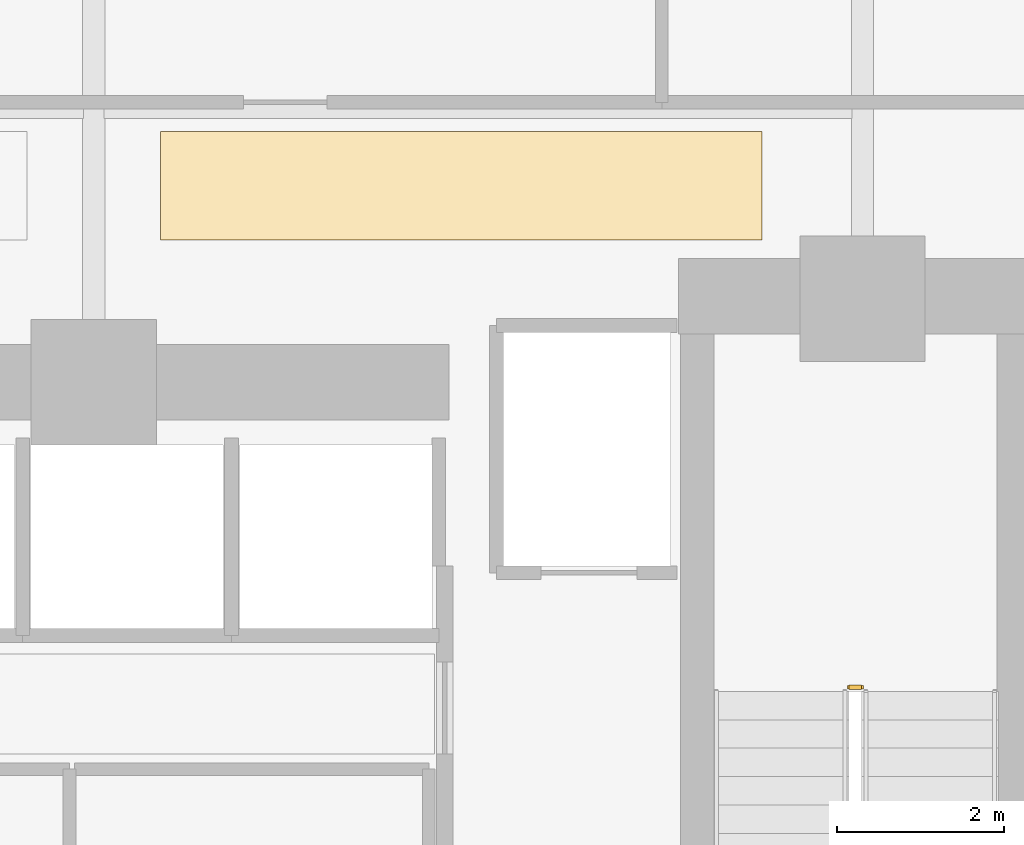
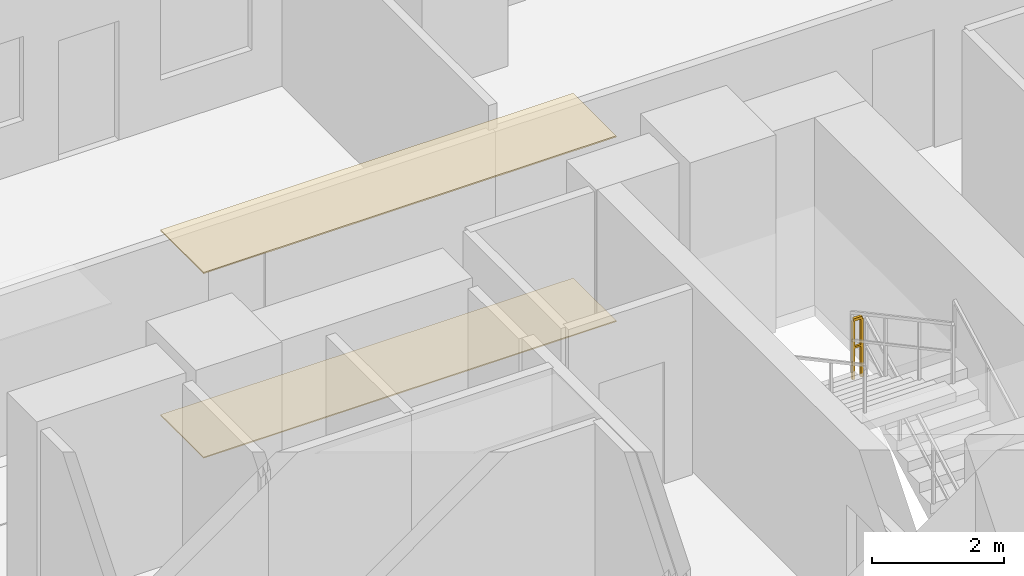
# One storey, part 27 of 28: 2 coverings, 1 railing.
"""IFC4 building model written with IfcOpenShell, lengths in metres."""

from ifc_helpers import new_model, si_unit, direction, frame, origin, origin_2d, place, context, subcontext, project, spatial, polyline, rectangle, outline, extrude, material, layer, layer_set, type_object, element, save


model = new_model("IFC4")

# Units and contexts
model_context = context("Model", 3, precision=1e-05, world=origin(), true_north=direction((0.0, 1.0)))
body_context = subcontext(model_context, "Body", "Model", "MODEL_VIEW")
ifc_project = project(units=[si_unit("LENGTHUNIT", "METRE"), si_unit("AREAUNIT", "SQUARE_METRE"), si_unit("VOLUMEUNIT", "CUBIC_METRE"), si_unit("PLANEANGLEUNIT", "RADIAN"), si_unit("MASSUNIT", "GRAM", prefix="KILO")], contexts=[model_context])

# Site, building, storey
site_placement = place(None, origin())
site = spatial("IfcSite", under=ifc_project, at=site_placement, CompositionType="ELEMENT")
building_placement = place(site_placement, origin())
building = spatial("IfcBuilding", under=site, at=building_placement, Name="Zuhayl Quay Hotel", CompositionType="ELEMENT")
storey_placement = place(building_placement, frame((0.0, 0.0, 75.050048828125)))
storey = spatial("IfcBuildingStorey", under=building, at=storey_placement, Name="L18", CompositionType="ELEMENT", Elevation=75.050048828125)

# Coverings
ifc_material_1 = material(Name="Acoustic Mineral-Fibre Gypsum Board")
ifc_layer_1 = layer(ifc_material_1, 0.02490234375, Name="Acoustic Mineral-Fibre Gypsum Board")
ifc_layer_set_1 = layer_set([ifc_layer_1], Name="Acoustic Mineral-Fibre Gypsum Board")
covering_type_1 = type_object("IfcCoveringType", Name="CV_CEIL_ACOUSTIC", PredefinedType="CEILING", material=ifc_layer_set_1)
covering_1_placement = place(storey_placement, frame((0.0, 0.0, 3.405029296875)))
element("IfcCovering", 1, at=covering_1_placement, inside=storey, type_object=covering_type_1, Name="L18 Guest Corridor Acoustic Ceiling CE", PredefinedType="CEILING", context=body_context, shape_type="SweptSolid", body=[
    extrude(outline(polyline([(5.39990234375, 15.050048828125), (12.60009765625, 15.050048828125), (12.60009765625, 16.35009765625), (5.39990234375, 16.35009765625), (5.39990234375, 15.050048828125)])), origin(), (0.0, 0.0, 1.0), 0.02490234375),
])
ifc_material_2 = material(Name="Polished Limestone Terrazzo", Category="masonry")
ifc_layer_2 = layer(ifc_material_2, 0.02001953125, Name="Polished Limestone Terrazzo", Category="masonry")
ifc_layer_set_2 = layer_set([ifc_layer_2], Name="Polished Limestone Terrazzo")
covering_type_2 = type_object("IfcCoveringType", Name="CV_FLOOR_TERRAZZO", PredefinedType="FLOORING", material=ifc_layer_set_2)
covering_2_placement = place(storey_placement, origin())
element("IfcCovering", 2, at=covering_2_placement, inside=storey, type_object=covering_type_2, Name="L18 Guest Corridor Terrazzo Runner CE", PredefinedType="FLOORING", context=body_context, shape_type="SweptSolid", body=[
    extrude(outline(polyline([(5.39990234375, 15.050048828125), (12.60009765625, 15.050048828125), (12.60009765625, 16.35009765625), (5.39990234375, 16.35009765625), (5.39990234375, 15.050048828125)])), origin(), (0.0, 0.0, 1.0), 0.02001953125),
])

# Railing
ifc_material_3 = material(Name="Steel ASTM A992 Grade 50", Category="steel")
railing_type = type_object("IfcRailingType", Name="RL_GUARD_1100", PredefinedType="GUARDRAIL", material=ifc_material_3)
railing_placement = place(storey_placement, frame((13.7900390625, 9.699951171875, 1.824951171875)))
element("IfcRailing", 3, at=railing_placement, inside=storey, type_object=railing_type, Name="L18 ST2 stair guard 2", PredefinedType="GUARDRAIL", context=body_context, shape_type="SweptSolid", body=[
    extrude(rectangle(XDim=0.048095703125, YDim=0.048095703125, at=origin_2d()), frame((0.0, 0.0, 1.09619140625), z_axis=(-1.0, 0.0, 0.0), x_axis=(0.0, -1.0, 0.0)), (0.0, 0.0, 1.0), 0.150146484375),
    extrude(rectangle(XDim=0.0361328125, YDim=0.0361328125, at=origin_2d()), frame((0.0, 0.0, 0.58251953125), z_axis=(-1.0, 0.0, 0.0), x_axis=(0.0, -1.0, 0.0)), (0.0, 0.0, 1.0), 0.150146484375),
    extrude(rectangle(XDim=0.0419921875, YDim=0.0419921875, at=origin_2d()), origin(), (0.0, 0.0, 1.0), 1.072021484375),
    extrude(rectangle(XDim=0.0419921875, YDim=0.0419921875, at=origin_2d()), frame((-0.150146484375, 0.0, 0.0)), (0.0, 0.0, 1.0), 1.072021484375),
])

save(model, "model.ifc")
